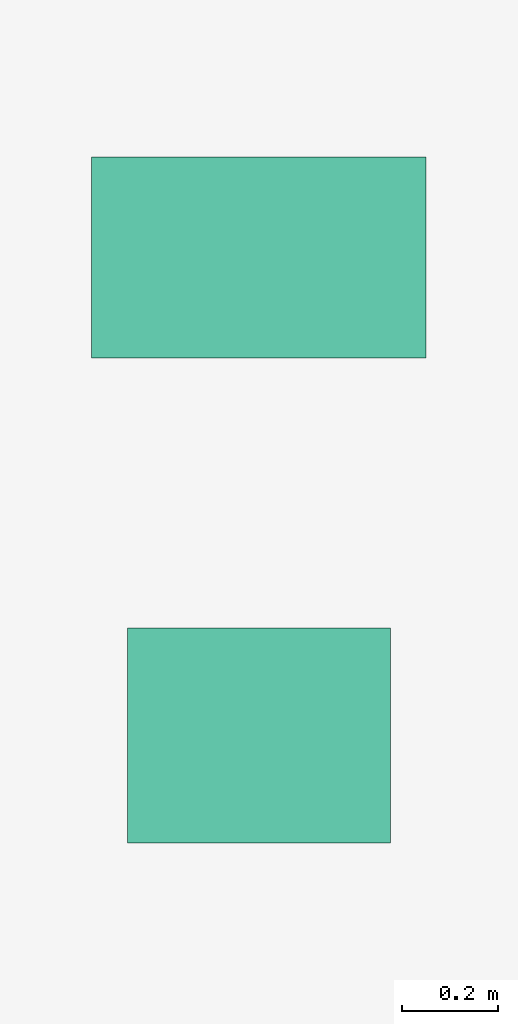
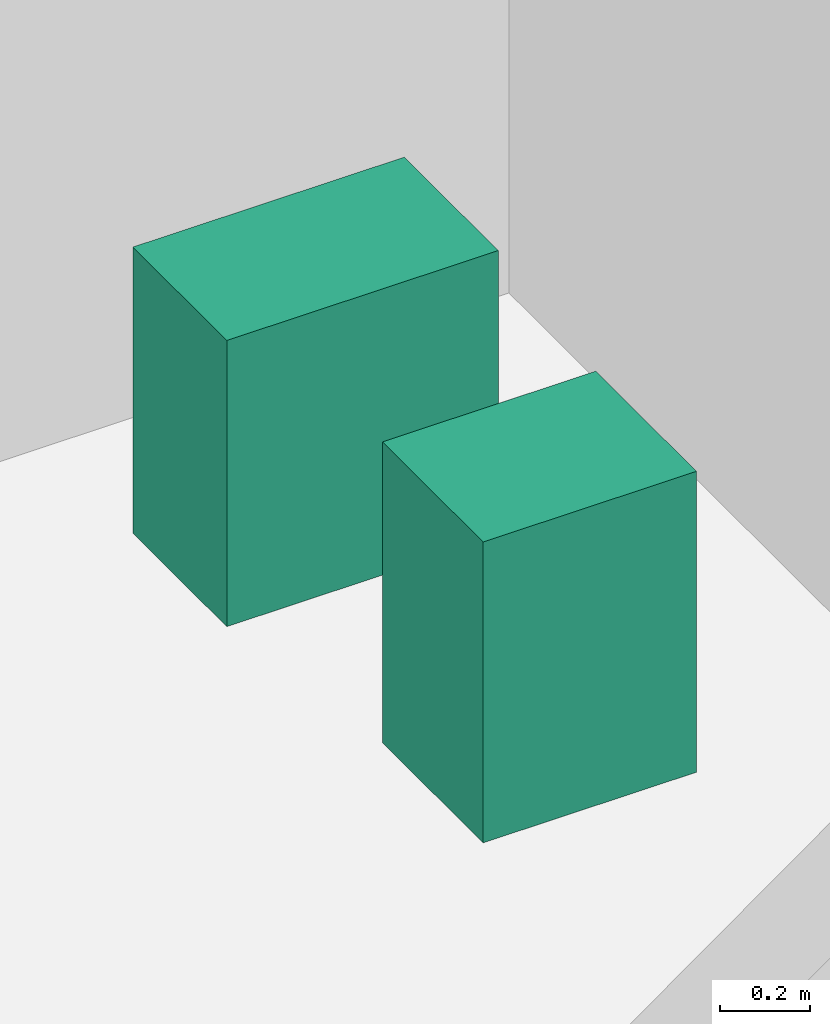
# One storey, part 15 of 15: 2 sanitary terminals.
"""IFC4 building model written with IfcOpenShell, lengths in metres."""

from ifc_helpers import new_model, si_unit, direction, frame, origin, origin_2d, place, context, subcontext, project, spatial, rectangle, extrude, source, transform, mapped, material, type_object, element, save


model = new_model("IFC4")

# Units and contexts
model_context = context("Model", 3, precision=1e-05, world=origin(), true_north=direction((0.0, 1.0)))
body_context = subcontext(model_context, "Body", "Model", "MODEL_VIEW")
ifc_project = project(units=[si_unit("LENGTHUNIT", "METRE"), si_unit("AREAUNIT", "SQUARE_METRE"), si_unit("VOLUMEUNIT", "CUBIC_METRE"), si_unit("PLANEANGLEUNIT", "RADIAN"), si_unit("MASSUNIT", "GRAM", prefix="KILO")], contexts=[model_context])

# Site, building, storey
site_placement = place(None, origin())
site = spatial("IfcSite", under=ifc_project, at=site_placement, CompositionType="ELEMENT")
building_placement = place(site_placement, origin())
building = spatial("IfcBuilding", under=site, at=building_placement, Name="Sumidabori Civic Tower", CompositionType="ELEMENT")
storey_placement = place(building_placement, frame((0.0, 0.0, 14.300048828125)))
storey = spatial("IfcBuildingStorey", under=building, at=storey_placement, Name="L03", CompositionType="ELEMENT", Elevation=14.300048828125)

# Sanitary terminals
ifc_material = material(Name="Vitreous Sanitary Porcelain")
sanitary_terminal_type_1 = type_object("IfcSanitaryTerminalType", Name="SN-WC-1", PredefinedType="TOILETPAN", material=ifc_material)
shared_shape_1 = source(origin(), body_context, "Body", "SweptSolid", [
    extrude(rectangle(XDim=0.699951171875, YDim=0.419921875, at=origin_2d()), origin(), (0.0, 0.0, 1.0), 0.780029296875),
])
sanitary_terminal_1_placement = place(storey_placement, frame((10.800048828125, 21.85009765625, 0.0), z_axis=(0.0, 0.0, 1.0), x_axis=(1.0, 0.0, 0.0)))
element("IfcSanitaryTerminal", 1, at=sanitary_terminal_1_placement, inside=storey, type_object=sanitary_terminal_type_1, Name="Accessible WC Pan L03", PredefinedType="TOILETPAN", context=body_context, shape_type="MappedRepresentation", body=[
    mapped(shared_shape_1, transform((0.0, 0.0, 0.0), x_axis=(1.0, 0.0, 0.0), y_axis=(0.0, 1.0, 0.0), z_axis=(0.0, 0.0, 1.0), scale=1.0)),
])
sanitary_terminal_type_2 = type_object("IfcSanitaryTerminalType", Name="SN-BAS-1", PredefinedType="WASHHANDBASIN", material=ifc_material)
shared_shape_2 = source(origin(), body_context, "Body", "SweptSolid", [
    extrude(rectangle(XDim=0.550048828125, YDim=0.449951171875, at=origin_2d()), origin(), (0.0, 0.0, 1.0), 0.820068359375),
])
sanitary_terminal_2_placement = place(storey_placement, frame((10.800048828125, 20.85009765625, 0.0), z_axis=(0.0, 0.0, 1.0), x_axis=(1.0, 0.0, 0.0)))
element("IfcSanitaryTerminal", 2, at=sanitary_terminal_2_placement, inside=storey, type_object=sanitary_terminal_type_2, Name="Accessible Basin L03", PredefinedType="WASHHANDBASIN", context=body_context, shape_type="MappedRepresentation", body=[
    mapped(shared_shape_2, transform((0.0, 0.0, 0.0), x_axis=(1.0, 0.0, 0.0), y_axis=(0.0, 1.0, 0.0), z_axis=(0.0, 0.0, 1.0), scale=1.0)),
])

save(model, "model.ifc")
